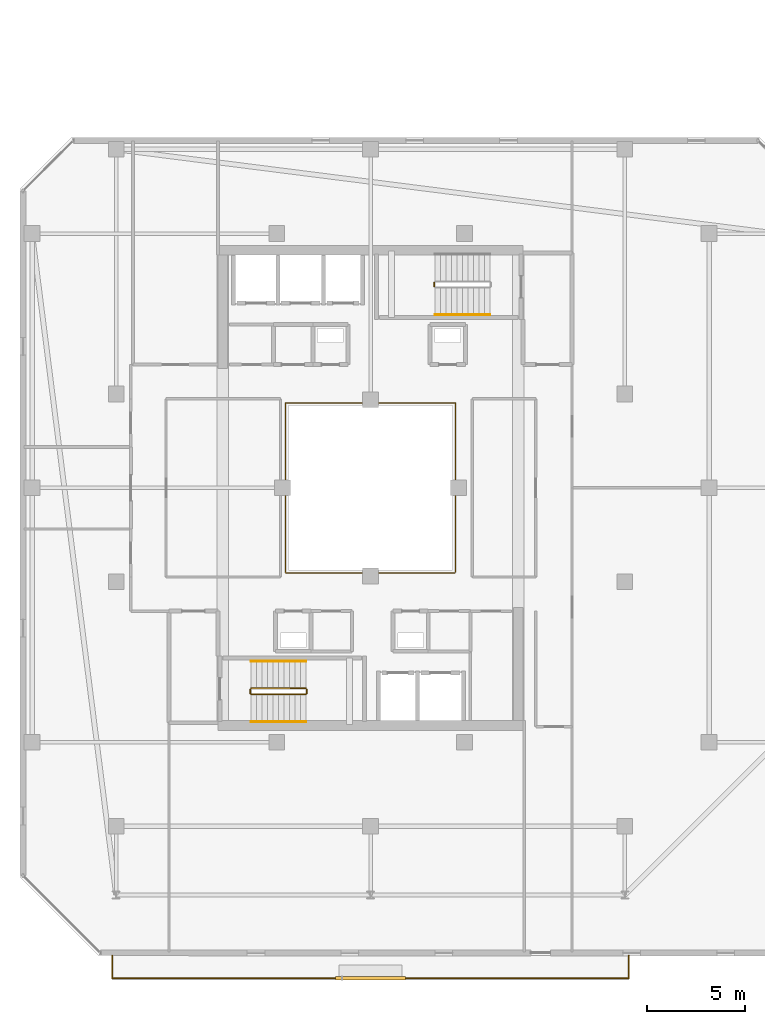
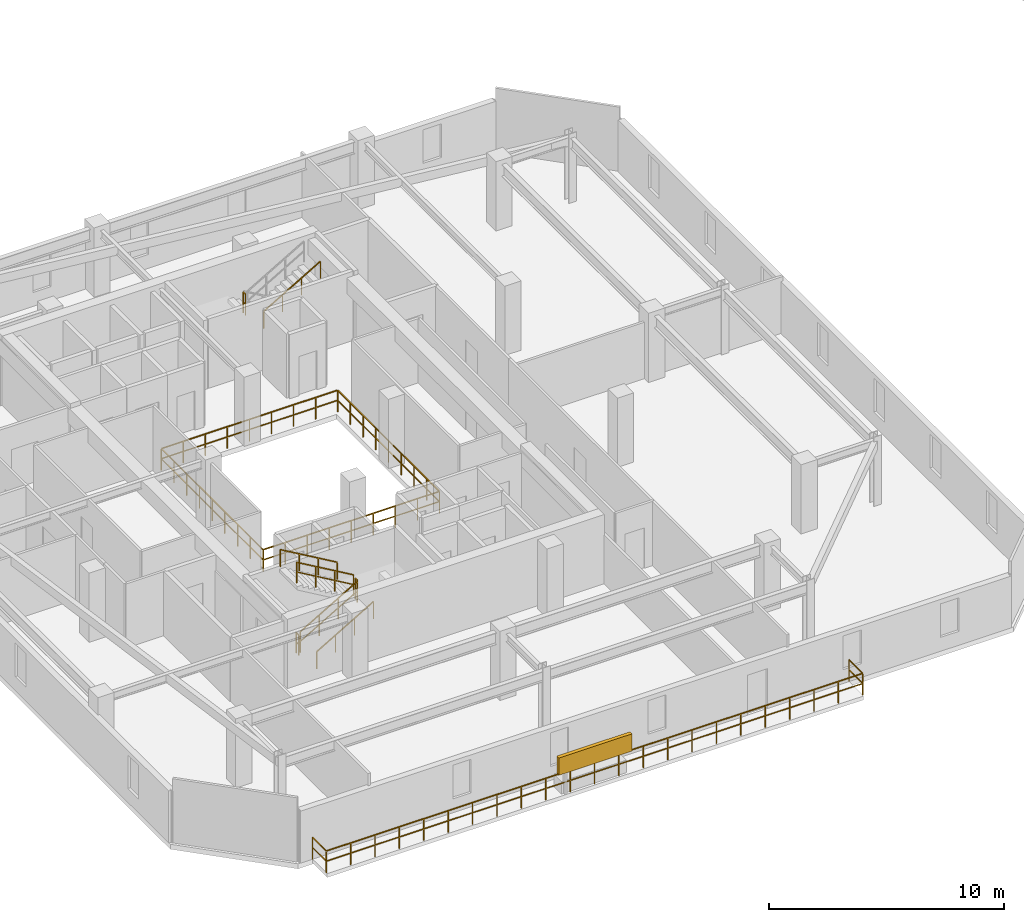
# One storey, part 31 of 34: 10 railings, 1 shading device.
"""IFC4 building model written with IfcOpenShell, lengths in metres."""

from ifc_helpers import new_model, si_unit, direction, frame, origin, origin_2d, place, context, subcontext, project, spatial, rectangle, extrude, material, type_object, element, save


model = new_model("IFC4")

# Units and contexts
model_context = context("Model", 3, precision=1e-05, world=origin(), true_north=direction((0.0, 1.0)))
body_context = subcontext(model_context, "Body", "Model", "MODEL_VIEW")
ifc_project = project(units=[si_unit("LENGTHUNIT", "METRE"), si_unit("AREAUNIT", "SQUARE_METRE"), si_unit("VOLUMEUNIT", "CUBIC_METRE"), si_unit("PLANEANGLEUNIT", "RADIAN"), si_unit("MASSUNIT", "GRAM", prefix="KILO")], contexts=[model_context])

# Site, building, storey
site_placement = place(None, origin())
site = spatial("IfcSite", under=ifc_project, at=site_placement, CompositionType="ELEMENT")
building_placement = place(site_placement, origin())
building = spatial("IfcBuilding", under=site, at=building_placement, Name="Thornwick Lancets Civic Towers", CompositionType="ELEMENT")
storey_placement = place(building_placement, frame((0.0, 0.0, 258.300048828125)))
storey = spatial("IfcBuildingStorey", under=building, at=storey_placement, Name="L69", CompositionType="ELEMENT", Elevation=258.300048828125)

# Railings
ifc_material_1 = material(Name="Laminated glass and bronze steel S355", Category="steel")
railing_type_1 = type_object("IfcRailingType", Name="RAIL_ATRIUM_GUARD", PredefinedType="BALUSTRADE", material=ifc_material_1)
railing_1_placement = place(storey_placement, frame((21.159912109375, 22.659912109375, 0.0)))
element("IfcRailing", 1, at=railing_1_placement, inside=storey, type_object=railing_type_1, Name="L69 Tower A Central Atrium Guard Balustrade", PredefinedType="BALUSTRADE", context=body_context, shape_type="SweptSolid", body=[
    extrude(rectangle(XDim=0.048095703125, YDim=0.048095703125, at=origin_2d()), frame((0.0, 0.0, 1.1259765625), z_axis=(1.0, 0.0, 0.0), x_axis=(0.0, 1.0, 0.0)), (0.0, 0.0, 1.0), 8.64892578125),
    extrude(rectangle(XDim=0.0419921875, YDim=0.0419921875, at=origin_2d()), frame((0.03759765625, 0.0, 0.597900390625), z_axis=(1.0, 0.0, 0.0), x_axis=(0.0, 1.0, 0.0)), (0.0, 0.0, 1.0), 1.010009765625),
    extrude(rectangle(XDim=0.0419921875, YDim=0.0419921875, at=origin_2d()), frame((1.12255859375, 0.0, 0.597900390625), z_axis=(1.0, 0.0, 0.0), x_axis=(0.0, 1.0, 0.0)), (0.0, 0.0, 1.0), 1.010009765625),
    extrude(rectangle(XDim=0.0419921875, YDim=0.0419921875, at=origin_2d()), frame((2.20751953125, 0.0, 0.597900390625), z_axis=(1.0, 0.0, 0.0), x_axis=(0.0, 1.0, 0.0)), (0.0, 0.0, 1.0), 1.010009765625),
    extrude(rectangle(XDim=0.0419921875, YDim=0.0419921875, at=origin_2d()), frame((3.29248046875, 0.0, 0.597900390625), z_axis=(1.0, 0.0, 0.0), x_axis=(0.0, 1.0, 0.0)), (0.0, 0.0, 1.0), 1.010009765625),
    extrude(rectangle(XDim=0.0419921875, YDim=0.0419921875, at=origin_2d()), frame((4.377685546875, 0.0, 0.597900390625), z_axis=(1.0, 0.0, 0.0), x_axis=(0.0, 1.0, 0.0)), (0.0, 0.0, 1.0), 1.010009765625),
    extrude(rectangle(XDim=0.0419921875, YDim=0.0419921875, at=origin_2d()), frame((5.462646484375, 0.0, 0.597900390625), z_axis=(1.0, 0.0, 0.0), x_axis=(0.0, 1.0, 0.0)), (0.0, 0.0, 1.0), 1.010009765625),
    extrude(rectangle(XDim=0.0419921875, YDim=0.0419921875, at=origin_2d()), frame((6.547607421875, 0.0, 0.597900390625), z_axis=(1.0, 0.0, 0.0), x_axis=(0.0, 1.0, 0.0)), (0.0, 0.0, 1.0), 1.010009765625),
    extrude(rectangle(XDim=0.0419921875, YDim=0.0419921875, at=origin_2d()), frame((7.632568359375, 0.0, 0.597900390625), z_axis=(1.0, 0.0, 0.0), x_axis=(0.0, 1.0, 0.0)), (0.0, 0.0, 1.0), 1.010009765625),
    extrude(rectangle(XDim=0.048095703125, YDim=0.048095703125, at=origin_2d()), frame((8.68017578125, 0.03125, 1.1259765625), z_axis=(0.0, 1.0, 0.0), x_axis=(-1.0, 0.0, 0.0)), (0.0, 0.0, 1.0), 8.61767578125),
    extrude(rectangle(XDim=0.0419921875, YDim=0.0419921875, at=origin_2d()), frame((8.68017578125, 0.03759765625, 0.597900390625), z_axis=(0.0, 1.0, 0.0), x_axis=(-1.0, 0.0, 0.0)), (0.0, 0.0, 1.0), 1.010009765625),
    extrude(rectangle(XDim=0.0419921875, YDim=0.0419921875, at=origin_2d()), frame((8.68017578125, 1.12255859375, 0.597900390625), z_axis=(0.0, 1.0, 0.0), x_axis=(-1.0, 0.0, 0.0)), (0.0, 0.0, 1.0), 1.010009765625),
    extrude(rectangle(XDim=0.0419921875, YDim=0.0419921875, at=origin_2d()), frame((8.68017578125, 2.20751953125, 0.597900390625), z_axis=(0.0, 1.0, 0.0), x_axis=(-1.0, 0.0, 0.0)), (0.0, 0.0, 1.0), 1.010009765625),
    extrude(rectangle(XDim=0.0419921875, YDim=0.0419921875, at=origin_2d()), frame((8.68017578125, 3.29248046875, 0.597900390625), z_axis=(0.0, 1.0, 0.0), x_axis=(-1.0, 0.0, 0.0)), (0.0, 0.0, 1.0), 1.010009765625),
    extrude(rectangle(XDim=0.0419921875, YDim=0.0419921875, at=origin_2d()), frame((8.68017578125, 4.377685546875, 0.597900390625), z_axis=(0.0, 1.0, 0.0), x_axis=(-1.0, 0.0, 0.0)), (0.0, 0.0, 1.0), 1.010009765625),
    extrude(rectangle(XDim=0.0419921875, YDim=0.0419921875, at=origin_2d()), frame((8.68017578125, 5.462646484375, 0.597900390625), z_axis=(0.0, 1.0, 0.0), x_axis=(-1.0, 0.0, 0.0)), (0.0, 0.0, 1.0), 1.010009765625),
    extrude(rectangle(XDim=0.0419921875, YDim=0.0419921875, at=origin_2d()), frame((8.68017578125, 6.547607421875, 0.597900390625), z_axis=(0.0, 1.0, 0.0), x_axis=(-1.0, 0.0, 0.0)), (0.0, 0.0, 1.0), 1.010009765625),
    extrude(rectangle(XDim=0.0419921875, YDim=0.0419921875, at=origin_2d()), frame((8.68017578125, 7.632568359375, 0.597900390625), z_axis=(0.0, 1.0, 0.0), x_axis=(-1.0, 0.0, 0.0)), (0.0, 0.0, 1.0), 1.010009765625),
    extrude(rectangle(XDim=0.048095703125, YDim=0.048095703125, at=origin_2d()), frame((8.64892578125, 8.68017578125, 1.1259765625), z_axis=(-1.0, 0.0, 0.0), x_axis=(0.0, -1.0, 0.0)), (0.0, 0.0, 1.0), 8.61767578125),
    extrude(rectangle(XDim=0.0419921875, YDim=0.0419921875, at=origin_2d()), frame((8.642578125, 8.68017578125, 0.597900390625), z_axis=(-1.0, 0.0, 0.0), x_axis=(0.0, -1.0, 0.0)), (0.0, 0.0, 1.0), 1.010009765625),
    extrude(rectangle(XDim=0.0419921875, YDim=0.0419921875, at=origin_2d()), frame((7.5576171875, 8.68017578125, 0.597900390625), z_axis=(-1.0, 0.0, 0.0), x_axis=(0.0, -1.0, 0.0)), (0.0, 0.0, 1.0), 1.010009765625),
    extrude(rectangle(XDim=0.0419921875, YDim=0.0419921875, at=origin_2d()), frame((6.47265625, 8.68017578125, 0.597900390625), z_axis=(-1.0, 0.0, 0.0), x_axis=(0.0, -1.0, 0.0)), (0.0, 0.0, 1.0), 1.010009765625),
    extrude(rectangle(XDim=0.0419921875, YDim=0.0419921875, at=origin_2d()), frame((5.3876953125, 8.68017578125, 0.597900390625), z_axis=(-1.0, 0.0, 0.0), x_axis=(0.0, -1.0, 0.0)), (0.0, 0.0, 1.0), 1.010009765625),
    extrude(rectangle(XDim=0.0419921875, YDim=0.0419921875, at=origin_2d()), frame((4.302490234375, 8.68017578125, 0.597900390625), z_axis=(-1.0, 0.0, 0.0), x_axis=(0.0, -1.0, 0.0)), (0.0, 0.0, 1.0), 1.010009765625),
    extrude(rectangle(XDim=0.0419921875, YDim=0.0419921875, at=origin_2d()), frame((3.217529296875, 8.68017578125, 0.597900390625), z_axis=(-1.0, 0.0, 0.0), x_axis=(0.0, -1.0, 0.0)), (0.0, 0.0, 1.0), 1.010009765625),
    extrude(rectangle(XDim=0.0419921875, YDim=0.0419921875, at=origin_2d()), frame((2.132568359375, 8.68017578125, 0.597900390625), z_axis=(-1.0, 0.0, 0.0), x_axis=(0.0, -1.0, 0.0)), (0.0, 0.0, 1.0), 1.010009765625),
    extrude(rectangle(XDim=0.0419921875, YDim=0.0419921875, at=origin_2d()), frame((1.047607421875, 8.68017578125, 0.597900390625), z_axis=(-1.0, 0.0, 0.0), x_axis=(0.0, -1.0, 0.0)), (0.0, 0.0, 1.0), 1.010009765625),
    extrude(rectangle(XDim=0.048095703125, YDim=0.048095703125, at=origin_2d()), frame((0.0, 8.64892578125, 1.1259765625), z_axis=(0.0, -1.0, 0.0), x_axis=(1.0, 0.0, 0.0)), (0.0, 0.0, 1.0), 8.64892578125),
    extrude(rectangle(XDim=0.0419921875, YDim=0.0419921875, at=origin_2d()), frame((0.0, 8.642578125, 0.597900390625), z_axis=(0.0, -1.0, 0.0), x_axis=(1.0, 0.0, 0.0)), (0.0, 0.0, 1.0), 1.010009765625),
    extrude(rectangle(XDim=0.0419921875, YDim=0.0419921875, at=origin_2d()), frame((0.0, 7.5576171875, 0.597900390625), z_axis=(0.0, -1.0, 0.0), x_axis=(1.0, 0.0, 0.0)), (0.0, 0.0, 1.0), 1.010009765625),
    extrude(rectangle(XDim=0.0419921875, YDim=0.0419921875, at=origin_2d()), frame((0.0, 6.47265625, 0.597900390625), z_axis=(0.0, -1.0, 0.0), x_axis=(1.0, 0.0, 0.0)), (0.0, 0.0, 1.0), 1.010009765625),
    extrude(rectangle(XDim=0.0419921875, YDim=0.0419921875, at=origin_2d()), frame((0.0, 5.3876953125, 0.597900390625), z_axis=(0.0, -1.0, 0.0), x_axis=(1.0, 0.0, 0.0)), (0.0, 0.0, 1.0), 1.010009765625),
    extrude(rectangle(XDim=0.0419921875, YDim=0.0419921875, at=origin_2d()), frame((0.0, 4.302490234375, 0.597900390625), z_axis=(0.0, -1.0, 0.0), x_axis=(1.0, 0.0, 0.0)), (0.0, 0.0, 1.0), 1.010009765625),
    extrude(rectangle(XDim=0.0419921875, YDim=0.0419921875, at=origin_2d()), frame((0.0, 3.217529296875, 0.597900390625), z_axis=(0.0, -1.0, 0.0), x_axis=(1.0, 0.0, 0.0)), (0.0, 0.0, 1.0), 1.010009765625),
    extrude(rectangle(XDim=0.0419921875, YDim=0.0419921875, at=origin_2d()), frame((0.0, 2.132568359375, 0.597900390625), z_axis=(0.0, -1.0, 0.0), x_axis=(1.0, 0.0, 0.0)), (0.0, 0.0, 1.0), 1.010009765625),
    extrude(rectangle(XDim=0.0419921875, YDim=0.0419921875, at=origin_2d()), frame((0.0, 1.047607421875, 0.597900390625), z_axis=(0.0, -1.0, 0.0), x_axis=(1.0, 0.0, 0.0)), (0.0, 0.0, 1.0), 1.010009765625),
    extrude(rectangle(XDim=0.0419921875, YDim=0.0419921875, at=origin_2d()), origin(), (0.0, 0.0, 1.0), 1.095703125),
    extrude(rectangle(XDim=0.0419921875, YDim=0.0419921875, at=origin_2d()), frame((1.0849609375, 0.0, 0.0)), (0.0, 0.0, 1.0), 1.095703125),
    extrude(rectangle(XDim=0.0419921875, YDim=0.0419921875, at=origin_2d()), frame((2.169921875, 0.0, 0.0)), (0.0, 0.0, 1.0), 1.095703125),
    extrude(rectangle(XDim=0.0419921875, YDim=0.0419921875, at=origin_2d()), frame((3.255126953125, 0.0, 0.0)), (0.0, 0.0, 1.0), 1.095703125),
    extrude(rectangle(XDim=0.0419921875, YDim=0.0419921875, at=origin_2d()), frame((4.340087890625, 0.0, 0.0)), (0.0, 0.0, 1.0), 1.095703125),
    extrude(rectangle(XDim=0.0419921875, YDim=0.0419921875, at=origin_2d()), frame((5.425048828125, 0.0, 0.0)), (0.0, 0.0, 1.0), 1.095703125),
    extrude(rectangle(XDim=0.0419921875, YDim=0.0419921875, at=origin_2d()), frame((6.51025390625, 0.0, 0.0)), (0.0, 0.0, 1.0), 1.095703125),
    extrude(rectangle(XDim=0.0419921875, YDim=0.0419921875, at=origin_2d()), frame((7.59521484375, 0.0, 0.0)), (0.0, 0.0, 1.0), 1.095703125),
    extrude(rectangle(XDim=0.0419921875, YDim=0.0419921875, at=origin_2d()), frame((8.68017578125, 0.0, 0.0)), (0.0, 0.0, 1.0), 1.095703125),
    extrude(rectangle(XDim=0.0419921875, YDim=0.0419921875, at=origin_2d()), frame((8.68017578125, 1.0849609375, 0.0)), (0.0, 0.0, 1.0), 1.095703125),
    extrude(rectangle(XDim=0.0419921875, YDim=0.0419921875, at=origin_2d()), frame((8.68017578125, 2.169921875, 0.0)), (0.0, 0.0, 1.0), 1.095703125),
    extrude(rectangle(XDim=0.0419921875, YDim=0.0419921875, at=origin_2d()), frame((8.68017578125, 3.255126953125, 0.0)), (0.0, 0.0, 1.0), 1.095703125),
    extrude(rectangle(XDim=0.0419921875, YDim=0.0419921875, at=origin_2d()), frame((8.68017578125, 4.340087890625, 0.0)), (0.0, 0.0, 1.0), 1.095703125),
    extrude(rectangle(XDim=0.0419921875, YDim=0.0419921875, at=origin_2d()), frame((8.68017578125, 5.425048828125, 0.0)), (0.0, 0.0, 1.0), 1.095703125),
    extrude(rectangle(XDim=0.0419921875, YDim=0.0419921875, at=origin_2d()), frame((8.68017578125, 6.51025390625, 0.0)), (0.0, 0.0, 1.0), 1.095703125),
    extrude(rectangle(XDim=0.0419921875, YDim=0.0419921875, at=origin_2d()), frame((8.68017578125, 7.59521484375, 0.0)), (0.0, 0.0, 1.0), 1.095703125),
    extrude(rectangle(XDim=0.0419921875, YDim=0.0419921875, at=origin_2d()), frame((8.68017578125, 8.68017578125, 0.0)), (0.0, 0.0, 1.0), 1.095703125),
    extrude(rectangle(XDim=0.0419921875, YDim=0.0419921875, at=origin_2d()), frame((7.59521484375, 8.68017578125, 0.0)), (0.0, 0.0, 1.0), 1.095703125),
    extrude(rectangle(XDim=0.0419921875, YDim=0.0419921875, at=origin_2d()), frame((6.51025390625, 8.68017578125, 0.0)), (0.0, 0.0, 1.0), 1.095703125),
    extrude(rectangle(XDim=0.0419921875, YDim=0.0419921875, at=origin_2d()), frame((5.425048828125, 8.68017578125, 0.0)), (0.0, 0.0, 1.0), 1.095703125),
    extrude(rectangle(XDim=0.0419921875, YDim=0.0419921875, at=origin_2d()), frame((4.340087890625, 8.68017578125, 0.0)), (0.0, 0.0, 1.0), 1.095703125),
    extrude(rectangle(XDim=0.0419921875, YDim=0.0419921875, at=origin_2d()), frame((3.255126953125, 8.68017578125, 0.0)), (0.0, 0.0, 1.0), 1.095703125),
    extrude(rectangle(XDim=0.0419921875, YDim=0.0419921875, at=origin_2d()), frame((2.169921875, 8.68017578125, 0.0)), (0.0, 0.0, 1.0), 1.095703125),
    extrude(rectangle(XDim=0.0419921875, YDim=0.0419921875, at=origin_2d()), frame((1.0849609375, 8.68017578125, 0.0)), (0.0, 0.0, 1.0), 1.095703125),
    extrude(rectangle(XDim=0.0419921875, YDim=0.0419921875, at=origin_2d()), frame((0.0, 8.68017578125, 0.0)), (0.0, 0.0, 1.0), 1.095703125),
    extrude(rectangle(XDim=0.0419921875, YDim=0.0419921875, at=origin_2d()), frame((0.0, 7.59521484375, 0.0)), (0.0, 0.0, 1.0), 1.095703125),
    extrude(rectangle(XDim=0.0419921875, YDim=0.0419921875, at=origin_2d()), frame((0.0, 6.51025390625, 0.0)), (0.0, 0.0, 1.0), 1.095703125),
    extrude(rectangle(XDim=0.0419921875, YDim=0.0419921875, at=origin_2d()), frame((0.0, 5.425048828125, 0.0)), (0.0, 0.0, 1.0), 1.095703125),
    extrude(rectangle(XDim=0.0419921875, YDim=0.0419921875, at=origin_2d()), frame((0.0, 4.340087890625, 0.0)), (0.0, 0.0, 1.0), 1.095703125),
    extrude(rectangle(XDim=0.0419921875, YDim=0.0419921875, at=origin_2d()), frame((0.0, 3.255126953125, 0.0)), (0.0, 0.0, 1.0), 1.095703125),
    extrude(rectangle(XDim=0.0419921875, YDim=0.0419921875, at=origin_2d()), frame((0.0, 2.169921875, 0.0)), (0.0, 0.0, 1.0), 1.095703125),
    extrude(rectangle(XDim=0.0419921875, YDim=0.0419921875, at=origin_2d()), frame((0.0, 1.0849609375, 0.0)), (0.0, 0.0, 1.0), 1.095703125),
])
ifc_material_2 = material(Name="Brushed stainless steel S355", Category="steel")
railing_type_2 = type_object("IfcRailingType", Name="RAIL_HANDRAIL", PredefinedType="HANDRAIL", material=ifc_material_2)
railing_2_placement = place(storey_placement, frame((19.39990234375, 15.050048828125, 0.16357421875)))
element("IfcRailing", 2, at=railing_2_placement, inside=storey, type_object=railing_type_2, Name="L69 ST-A1 stair handrail 1", PredefinedType="HANDRAIL", context=body_context, shape_type="SweptSolid", body=[
    extrude(rectangle(XDim=0.048095703125, YDim=0.048095703125, at=origin_2d()), frame((0.0, 0.0, 0.8857421875), z_axis=(0.863360870873, 0.0, 0.504586966384), x_axis=(0.0, 1.0, 0.0)), (0.0, 0.0, 1.0), 3.2431640625),
    extrude(rectangle(XDim=0.0419921875, YDim=0.0419921875, at=origin_2d()), origin(), (0.0, 0.0, 1.0), 0.855712890625),
    extrude(rectangle(XDim=0.0419921875, YDim=0.0419921875, at=origin_2d()), frame((0.933349609375, 0.0, 0.54541015625)), (0.0, 0.0, 1.0), 0.855712890625),
    extrude(rectangle(XDim=0.0419921875, YDim=0.0419921875, at=origin_2d()), frame((1.86669921875, 0.0, 1.091064453125)), (0.0, 0.0, 1.0), 0.855712890625),
    extrude(rectangle(XDim=0.0419921875, YDim=0.0419921875, at=origin_2d()), frame((2.800048828125, 0.0, 1.636474609375)), (0.0, 0.0, 1.0), 0.855712890625),
])
railing_3_placement = place(storey_placement, frame((22.199951171875, 18.14990234375, 1.963623046875)))
element("IfcRailing", 3, at=railing_3_placement, inside=storey, type_object=railing_type_2, Name="L69 ST-A1 stair handrail 2", PredefinedType="HANDRAIL", context=body_context, shape_type="SweptSolid", body=[
    extrude(rectangle(XDim=0.048095703125, YDim=0.048095703125, at=origin_2d()), frame((0.0, 0.0, 0.8857421875), z_axis=(-0.863393664356, 0.0, 0.504530851732), x_axis=(0.0, -1.0, 0.0)), (0.0, 0.0, 1.0), 3.2431640625),
    extrude(rectangle(XDim=0.0419921875, YDim=0.0419921875, at=origin_2d()), origin(), (0.0, 0.0, 1.0), 0.855712890625),
    extrude(rectangle(XDim=0.0419921875, YDim=0.0419921875, at=origin_2d()), frame((-0.933349609375, 0.0, 0.54541015625)), (0.0, 0.0, 1.0), 0.855712890625),
    extrude(rectangle(XDim=0.0419921875, YDim=0.0419921875, at=origin_2d()), frame((-1.86669921875, 0.0, 1.0908203125)), (0.0, 0.0, 1.0), 0.855712890625),
    extrude(rectangle(XDim=0.0419921875, YDim=0.0419921875, at=origin_2d()), frame((-2.800048828125, 0.0, 1.63623046875)), (0.0, 0.0, 1.0), 0.855712890625),
])
railing_4_placement = place(storey_placement, frame((28.800048828125, 35.85009765625, 1.963623046875)))
element("IfcRailing", 4, at=railing_4_placement, inside=storey, type_object=railing_type_2, Name="L69 ST-A2 stair handrail 2", PredefinedType="HANDRAIL", context=body_context, shape_type="SweptSolid", body=[
    extrude(rectangle(XDim=0.048095703125, YDim=0.048095703125, at=origin_2d()), frame((0.0, 0.0, 0.8857421875), z_axis=(0.863393664356, 0.0, 0.504530851732), x_axis=(0.0, 1.0, 0.0)), (0.0, 0.0, 1.0), 3.2431640625),
    extrude(rectangle(XDim=0.0419921875, YDim=0.0419921875, at=origin_2d()), origin(), (0.0, 0.0, 1.0), 0.855712890625),
    extrude(rectangle(XDim=0.0419921875, YDim=0.0419921875, at=origin_2d()), frame((0.933349609375, 0.0, 0.54541015625)), (0.0, 0.0, 1.0), 0.855712890625),
    extrude(rectangle(XDim=0.0419921875, YDim=0.0419921875, at=origin_2d()), frame((1.86669921875, 0.0, 1.0908203125)), (0.0, 0.0, 1.0), 0.855712890625),
    extrude(rectangle(XDim=0.0419921875, YDim=0.0419921875, at=origin_2d()), frame((2.800048828125, 0.0, 1.63623046875)), (0.0, 0.0, 1.0), 0.855712890625),
])
ifc_material_3 = material(Name="Steel S355JR", Category="steel")
railing_type_3 = type_object("IfcRailingType", Name="RAIL_STAIR_GUARD", PredefinedType="GUARDRAIL", material=ifc_material_3)
railing_5_placement = place(storey_placement, frame((19.39990234375, 16.449951171875, 0.16357421875)))
element("IfcRailing", 5, at=railing_5_placement, inside=storey, type_object=railing_type_3, Name="L69 ST-A1 stair guard 1", PredefinedType="GUARDRAIL", context=body_context, shape_type="SweptSolid", body=[
    extrude(rectangle(XDim=0.048095703125, YDim=0.048095703125, at=origin_2d()), frame((0.0, 0.0, 1.076171875), z_axis=(0.863360870873, 0.0, 0.504586966384), x_axis=(0.0, 1.0, 0.0)), (0.0, 0.0, 1.0), 3.2431640625),
    extrude(rectangle(XDim=0.0419921875, YDim=0.0419921875, at=origin_2d()), frame((0.032470703125, 0.0, 0.591064453125), z_axis=(0.863360870873, 0.0, 0.504586966384), x_axis=(0.0, 1.0, 0.0)), (0.0, 0.0, 1.0), 1.006103515625),
    extrude(rectangle(XDim=0.0419921875, YDim=0.0419921875, at=origin_2d()), frame((0.9658203125, 0.0, 1.136474609375), z_axis=(0.863360870873, 0.0, 0.504586966384), x_axis=(0.0, 1.0, 0.0)), (0.0, 0.0, 1.0), 1.006103515625),
    extrude(rectangle(XDim=0.0419921875, YDim=0.0419921875, at=origin_2d()), frame((1.899169921875, 0.0, 1.681884765625), z_axis=(0.863360870873, 0.0, 0.504586966384), x_axis=(0.0, 1.0, 0.0)), (0.0, 0.0, 1.0), 1.006103515625),
    extrude(rectangle(XDim=0.0419921875, YDim=0.0419921875, at=origin_2d()), origin(), (0.0, 0.0, 1.0), 1.0458984375),
    extrude(rectangle(XDim=0.0419921875, YDim=0.0419921875, at=origin_2d()), frame((0.933349609375, 0.0, 0.54541015625)), (0.0, 0.0, 1.0), 1.0458984375),
    extrude(rectangle(XDim=0.0419921875, YDim=0.0419921875, at=origin_2d()), frame((1.86669921875, 0.0, 1.091064453125)), (0.0, 0.0, 1.0), 1.0458984375),
    extrude(rectangle(XDim=0.0419921875, YDim=0.0419921875, at=origin_2d()), frame((2.800048828125, 0.0, 1.636474609375)), (0.0, 0.0, 1.0), 1.0458984375),
])
railing_6_placement = place(storey_placement, frame((22.25, 16.5, 1.800048828125)))
element("IfcRailing", 6, at=railing_6_placement, inside=storey, type_object=railing_type_3, Name="L69 ST-A1 stair guard 2", PredefinedType="GUARDRAIL", context=body_context, shape_type="SweptSolid", body=[
    extrude(rectangle(XDim=0.048095703125, YDim=0.048095703125, at=origin_2d()), frame((0.0, 0.0, 1.076171875), z_axis=(0.0, 1.0, 0.0), x_axis=(-1.0, 0.0, 0.0)), (0.0, 0.0, 1.0), 0.199951171875),
    extrude(rectangle(XDim=0.0419921875, YDim=0.0419921875, at=origin_2d()), frame((0.0, 0.03759765625, 0.572021484375), z_axis=(0.0, 1.0, 0.0), x_axis=(-1.0, 0.0, 0.0)), (0.0, 0.0, 1.0), 0.125),
    extrude(rectangle(XDim=0.0419921875, YDim=0.0419921875, at=origin_2d()), origin(), (0.0, 0.0, 1.0), 1.0458984375),
    extrude(rectangle(XDim=0.0419921875, YDim=0.0419921875, at=origin_2d()), frame((0.0, 0.199951171875, 0.0)), (0.0, 0.0, 1.0), 1.0458984375),
])
railing_7_placement = place(storey_placement, frame((22.199951171875, 16.75, 1.963623046875)))
element("IfcRailing", 7, at=railing_7_placement, inside=storey, type_object=railing_type_3, Name="L69 ST-A1 stair guard 3", PredefinedType="GUARDRAIL", context=body_context, shape_type="SweptSolid", body=[
    extrude(rectangle(XDim=0.048095703125, YDim=0.048095703125, at=origin_2d()), frame((0.0, 0.0, 1.076171875), z_axis=(-0.863393664356, 0.0, 0.504530851732), x_axis=(0.0, -1.0, 0.0)), (0.0, 0.0, 1.0), 3.2431640625),
    extrude(rectangle(XDim=0.0419921875, YDim=0.0419921875, at=origin_2d()), frame((-0.032470703125, 0.0, 0.591064453125), z_axis=(-0.863393664356, 0.0, 0.504530851732), x_axis=(0.0, -1.0, 0.0)), (0.0, 0.0, 1.0), 1.006103515625),
    extrude(rectangle(XDim=0.0419921875, YDim=0.0419921875, at=origin_2d()), frame((-0.9658203125, 0.0, 1.136474609375), z_axis=(-0.863393664356, 0.0, 0.504530851732), x_axis=(0.0, -1.0, 0.0)), (0.0, 0.0, 1.0), 1.006103515625),
    extrude(rectangle(XDim=0.0419921875, YDim=0.0419921875, at=origin_2d()), frame((-1.899169921875, 0.0, 1.681884765625), z_axis=(-0.863393664356, 0.0, 0.504530851732), x_axis=(0.0, -1.0, 0.0)), (0.0, 0.0, 1.0), 1.006103515625),
    extrude(rectangle(XDim=0.0419921875, YDim=0.0419921875, at=origin_2d()), origin(), (0.0, 0.0, 1.0), 1.0458984375),
    extrude(rectangle(XDim=0.0419921875, YDim=0.0419921875, at=origin_2d()), frame((-0.933349609375, 0.0, 0.54541015625)), (0.0, 0.0, 1.0), 1.0458984375),
    extrude(rectangle(XDim=0.0419921875, YDim=0.0419921875, at=origin_2d()), frame((-1.86669921875, 0.0, 1.0908203125)), (0.0, 0.0, 1.0), 1.0458984375),
    extrude(rectangle(XDim=0.0419921875, YDim=0.0419921875, at=origin_2d()), frame((-2.800048828125, 0.0, 1.63623046875)), (0.0, 0.0, 1.0), 1.0458984375),
])
railing_8_placement = place(storey_placement, frame((19.35009765625, 16.5, 0.0)))
element("IfcRailing", 8, at=railing_8_placement, inside=storey, type_object=railing_type_3, Name="L69 ST-A1 stair guard 4", PredefinedType="GUARDRAIL", context=body_context, shape_type="SweptSolid", body=[
    extrude(rectangle(XDim=0.048095703125, YDim=0.048095703125, at=origin_2d()), frame((0.0, 0.0, 1.076171875), z_axis=(0.0, 1.0, 0.0), x_axis=(-1.0, 0.0, 0.0)), (0.0, 0.0, 1.0), 0.199951171875),
    extrude(rectangle(XDim=0.0419921875, YDim=0.0419921875, at=origin_2d()), frame((0.0, 0.03759765625, 0.572021484375), z_axis=(0.0, 1.0, 0.0), x_axis=(-1.0, 0.0, 0.0)), (0.0, 0.0, 1.0), 0.125),
    extrude(rectangle(XDim=0.0419921875, YDim=0.0419921875, at=origin_2d()), origin(), (0.0, 0.0, 1.0), 1.0458984375),
    extrude(rectangle(XDim=0.0419921875, YDim=0.0419921875, at=origin_2d()), frame((0.0, 0.199951171875, 0.0)), (0.0, 0.0, 1.0), 1.0458984375),
])
railing_9_placement = place(storey_placement, frame((28.75, 37.5, 1.800048828125)))
element("IfcRailing", 9, at=railing_9_placement, inside=storey, type_object=railing_type_3, Name="L69 ST-A2 stair guard 2", PredefinedType="GUARDRAIL", context=body_context, shape_type="SweptSolid", body=[
    extrude(rectangle(XDim=0.048095703125, YDim=0.048095703125, at=origin_2d()), frame((0.0, 0.0, 1.076171875), z_axis=(0.0, -1.0, 0.0), x_axis=(1.0, 0.0, 0.0)), (0.0, 0.0, 1.0), 0.199951171875),
    extrude(rectangle(XDim=0.0419921875, YDim=0.0419921875, at=origin_2d()), frame((0.0, -0.03759765625, 0.572021484375), z_axis=(0.0, -1.0, 0.0), x_axis=(1.0, 0.0, 0.0)), (0.0, 0.0, 1.0), 0.125),
    extrude(rectangle(XDim=0.0419921875, YDim=0.0419921875, at=origin_2d()), origin(), (0.0, 0.0, 1.0), 1.0458984375),
    extrude(rectangle(XDim=0.0419921875, YDim=0.0419921875, at=origin_2d()), frame((0.0, -0.199951171875, 0.0)), (0.0, 0.0, 1.0), 1.0458984375),
])
ifc_material_4 = material(Name="Terracotta-capped laminated glass balustrade S355", Category="masonry")
railing_type_4 = type_object("IfcRailingType", Name="RAIL_TERR_GUARD", PredefinedType="GUARDRAIL", material=ifc_material_4)
railing_10_placement = place(storey_placement, frame((12.300048828125, 3.10009765625, 0.0)))
element("IfcRailing", 10, at=railing_10_placement, inside=storey, type_object=railing_type_4, Name="L69 Tower A Balcony Guard S", PredefinedType="GUARDRAIL", context=body_context, shape_type="SweptSolid", body=[
    extrude(rectangle(XDim=0.048095703125, YDim=0.048095703125, at=origin_2d()), frame((0.0, 0.0, 1.1259765625), z_axis=(0.0, -1.0, 0.0), x_axis=(1.0, 0.0, 0.0)), (0.0, 0.0, 1.0), 1.138916015625),
    extrude(rectangle(XDim=0.0419921875, YDim=0.0419921875, at=origin_2d()), frame((0.0, -0.03759765625, 0.597900390625), z_axis=(0.0, -1.0, 0.0), x_axis=(1.0, 0.0, 0.0)), (0.0, 0.0, 1.0), 1.09521484375),
    extrude(rectangle(XDim=0.048095703125, YDim=0.048095703125, at=origin_2d()), frame((0.03125, -1.170166015625, 1.1259765625), z_axis=(1.0, 0.0, 0.0), x_axis=(0.0, 1.0, 0.0)), (0.0, 0.0, 1.0), 26.33740234375),
    extrude(rectangle(XDim=0.0419921875, YDim=0.0419921875, at=origin_2d()), frame((0.03759765625, -1.170166015625, 0.597900390625), z_axis=(1.0, 0.0, 0.0), x_axis=(0.0, 1.0, 0.0)), (0.0, 0.0, 1.0), 1.125),
    extrude(rectangle(XDim=0.0419921875, YDim=0.0419921875, at=origin_2d()), frame((1.237548828125, -1.170166015625, 0.597900390625), z_axis=(1.0, 0.0, 0.0), x_axis=(0.0, 1.0, 0.0)), (0.0, 0.0, 1.0), 1.125),
    extrude(rectangle(XDim=0.0419921875, YDim=0.0419921875, at=origin_2d()), frame((2.4375, -1.170166015625, 0.597900390625), z_axis=(1.0, 0.0, 0.0), x_axis=(0.0, 1.0, 0.0)), (0.0, 0.0, 1.0), 1.125),
    extrude(rectangle(XDim=0.0419921875, YDim=0.0419921875, at=origin_2d()), frame((3.637451171875, -1.170166015625, 0.597900390625), z_axis=(1.0, 0.0, 0.0), x_axis=(0.0, 1.0, 0.0)), (0.0, 0.0, 1.0), 1.125),
    extrude(rectangle(XDim=0.0419921875, YDim=0.0419921875, at=origin_2d()), frame((4.83740234375, -1.170166015625, 0.597900390625), z_axis=(1.0, 0.0, 0.0), x_axis=(0.0, 1.0, 0.0)), (0.0, 0.0, 1.0), 1.125),
    extrude(rectangle(XDim=0.0419921875, YDim=0.0419921875, at=origin_2d()), frame((6.037353515625, -1.170166015625, 0.597900390625), z_axis=(1.0, 0.0, 0.0), x_axis=(0.0, 1.0, 0.0)), (0.0, 0.0, 1.0), 1.125),
    extrude(rectangle(XDim=0.0419921875, YDim=0.0419921875, at=origin_2d()), frame((7.237548828125, -1.170166015625, 0.597900390625), z_axis=(1.0, 0.0, 0.0), x_axis=(0.0, 1.0, 0.0)), (0.0, 0.0, 1.0), 1.125),
    extrude(rectangle(XDim=0.0419921875, YDim=0.0419921875, at=origin_2d()), frame((8.4375, -1.170166015625, 0.597900390625), z_axis=(1.0, 0.0, 0.0), x_axis=(0.0, 1.0, 0.0)), (0.0, 0.0, 1.0), 1.125),
    extrude(rectangle(XDim=0.0419921875, YDim=0.0419921875, at=origin_2d()), frame((9.637451171875, -1.170166015625, 0.597900390625), z_axis=(1.0, 0.0, 0.0), x_axis=(0.0, 1.0, 0.0)), (0.0, 0.0, 1.0), 1.125),
    extrude(rectangle(XDim=0.0419921875, YDim=0.0419921875, at=origin_2d()), frame((10.83740234375, -1.170166015625, 0.597900390625), z_axis=(1.0, 0.0, 0.0), x_axis=(0.0, 1.0, 0.0)), (0.0, 0.0, 1.0), 1.125),
    extrude(rectangle(XDim=0.0419921875, YDim=0.0419921875, at=origin_2d()), frame((12.037353515625, -1.170166015625, 0.597900390625), z_axis=(1.0, 0.0, 0.0), x_axis=(0.0, 1.0, 0.0)), (0.0, 0.0, 1.0), 1.125),
    extrude(rectangle(XDim=0.0419921875, YDim=0.0419921875, at=origin_2d()), frame((13.237548828125, -1.170166015625, 0.597900390625), z_axis=(1.0, 0.0, 0.0), x_axis=(0.0, 1.0, 0.0)), (0.0, 0.0, 1.0), 1.125),
    extrude(rectangle(XDim=0.0419921875, YDim=0.0419921875, at=origin_2d()), frame((14.4375, -1.170166015625, 0.597900390625), z_axis=(1.0, 0.0, 0.0), x_axis=(0.0, 1.0, 0.0)), (0.0, 0.0, 1.0), 1.125),
    extrude(rectangle(XDim=0.0419921875, YDim=0.0419921875, at=origin_2d()), frame((15.637451171875, -1.170166015625, 0.597900390625), z_axis=(1.0, 0.0, 0.0), x_axis=(0.0, 1.0, 0.0)), (0.0, 0.0, 1.0), 1.125),
    extrude(rectangle(XDim=0.0419921875, YDim=0.0419921875, at=origin_2d()), frame((16.83740234375, -1.170166015625, 0.597900390625), z_axis=(1.0, 0.0, 0.0), x_axis=(0.0, 1.0, 0.0)), (0.0, 0.0, 1.0), 1.125),
    extrude(rectangle(XDim=0.0419921875, YDim=0.0419921875, at=origin_2d()), frame((18.037353515625, -1.170166015625, 0.597900390625), z_axis=(1.0, 0.0, 0.0), x_axis=(0.0, 1.0, 0.0)), (0.0, 0.0, 1.0), 1.125),
    extrude(rectangle(XDim=0.0419921875, YDim=0.0419921875, at=origin_2d()), frame((19.2373046875, -1.170166015625, 0.597900390625), z_axis=(1.0, 0.0, 0.0), x_axis=(0.0, 1.0, 0.0)), (0.0, 0.0, 1.0), 1.125),
    extrude(rectangle(XDim=0.0419921875, YDim=0.0419921875, at=origin_2d()), frame((20.4375, -1.170166015625, 0.597900390625), z_axis=(1.0, 0.0, 0.0), x_axis=(0.0, 1.0, 0.0)), (0.0, 0.0, 1.0), 1.125),
    extrude(rectangle(XDim=0.0419921875, YDim=0.0419921875, at=origin_2d()), frame((21.637451171875, -1.170166015625, 0.597900390625), z_axis=(1.0, 0.0, 0.0), x_axis=(0.0, 1.0, 0.0)), (0.0, 0.0, 1.0), 1.125),
    extrude(rectangle(XDim=0.0419921875, YDim=0.0419921875, at=origin_2d()), frame((22.83740234375, -1.170166015625, 0.597900390625), z_axis=(1.0, 0.0, 0.0), x_axis=(0.0, 1.0, 0.0)), (0.0, 0.0, 1.0), 1.125),
    extrude(rectangle(XDim=0.0419921875, YDim=0.0419921875, at=origin_2d()), frame((24.037353515625, -1.170166015625, 0.597900390625), z_axis=(1.0, 0.0, 0.0), x_axis=(0.0, 1.0, 0.0)), (0.0, 0.0, 1.0), 1.125),
    extrude(rectangle(XDim=0.0419921875, YDim=0.0419921875, at=origin_2d()), frame((25.2373046875, -1.170166015625, 0.597900390625), z_axis=(1.0, 0.0, 0.0), x_axis=(0.0, 1.0, 0.0)), (0.0, 0.0, 1.0), 1.125),
    extrude(rectangle(XDim=0.048095703125, YDim=0.048095703125, at=origin_2d()), frame((26.39990234375, -1.138916015625, 1.1259765625), z_axis=(0.0, 1.0, 0.0), x_axis=(-1.0, 0.0, 0.0)), (0.0, 0.0, 1.0), 1.138916015625),
    extrude(rectangle(XDim=0.0419921875, YDim=0.0419921875, at=origin_2d()), frame((26.39990234375, -1.132568359375, 0.597900390625), z_axis=(0.0, 1.0, 0.0), x_axis=(-1.0, 0.0, 0.0)), (0.0, 0.0, 1.0), 1.09521484375),
    extrude(rectangle(XDim=0.0419921875, YDim=0.0419921875, at=origin_2d()), origin(), (0.0, 0.0, 1.0), 1.095703125),
    extrude(rectangle(XDim=0.0419921875, YDim=0.0419921875, at=origin_2d()), frame((0.0, -1.170166015625, 0.0)), (0.0, 0.0, 1.0), 1.095703125),
    extrude(rectangle(XDim=0.0419921875, YDim=0.0419921875, at=origin_2d()), frame((1.199951171875, -1.170166015625, 0.0)), (0.0, 0.0, 1.0), 1.095703125),
    extrude(rectangle(XDim=0.0419921875, YDim=0.0419921875, at=origin_2d()), frame((2.39990234375, -1.170166015625, 0.0)), (0.0, 0.0, 1.0), 1.095703125),
    extrude(rectangle(XDim=0.0419921875, YDim=0.0419921875, at=origin_2d()), frame((3.60009765625, -1.170166015625, 0.0)), (0.0, 0.0, 1.0), 1.095703125),
    extrude(rectangle(XDim=0.0419921875, YDim=0.0419921875, at=origin_2d()), frame((4.800048828125, -1.170166015625, 0.0)), (0.0, 0.0, 1.0), 1.095703125),
    extrude(rectangle(XDim=0.0419921875, YDim=0.0419921875, at=origin_2d()), frame((6.0, -1.170166015625, 0.0)), (0.0, 0.0, 1.0), 1.095703125),
    extrude(rectangle(XDim=0.0419921875, YDim=0.0419921875, at=origin_2d()), frame((7.199951171875, -1.170166015625, 0.0)), (0.0, 0.0, 1.0), 1.095703125),
    extrude(rectangle(XDim=0.0419921875, YDim=0.0419921875, at=origin_2d()), frame((8.39990234375, -1.170166015625, 0.0)), (0.0, 0.0, 1.0), 1.095703125),
    extrude(rectangle(XDim=0.0419921875, YDim=0.0419921875, at=origin_2d()), frame((9.599853515625, -1.170166015625, 0.0)), (0.0, 0.0, 1.0), 1.095703125),
    extrude(rectangle(XDim=0.0419921875, YDim=0.0419921875, at=origin_2d()), frame((10.800048828125, -1.170166015625, 0.0)), (0.0, 0.0, 1.0), 1.095703125),
    extrude(rectangle(XDim=0.0419921875, YDim=0.0419921875, at=origin_2d()), frame((12.0, -1.170166015625, 0.0)), (0.0, 0.0, 1.0), 1.095703125),
    extrude(rectangle(XDim=0.0419921875, YDim=0.0419921875, at=origin_2d()), frame((13.199951171875, -1.170166015625, 0.0)), (0.0, 0.0, 1.0), 1.095703125),
    extrude(rectangle(XDim=0.0419921875, YDim=0.0419921875, at=origin_2d()), frame((14.39990234375, -1.170166015625, 0.0)), (0.0, 0.0, 1.0), 1.095703125),
    extrude(rectangle(XDim=0.0419921875, YDim=0.0419921875, at=origin_2d()), frame((15.599853515625, -1.170166015625, 0.0)), (0.0, 0.0, 1.0), 1.095703125),
    extrude(rectangle(XDim=0.0419921875, YDim=0.0419921875, at=origin_2d()), frame((16.800048828125, -1.170166015625, 0.0)), (0.0, 0.0, 1.0), 1.095703125),
    extrude(rectangle(XDim=0.0419921875, YDim=0.0419921875, at=origin_2d()), frame((18.0, -1.170166015625, 0.0)), (0.0, 0.0, 1.0), 1.095703125),
    extrude(rectangle(XDim=0.0419921875, YDim=0.0419921875, at=origin_2d()), frame((19.199951171875, -1.170166015625, 0.0)), (0.0, 0.0, 1.0), 1.095703125),
    extrude(rectangle(XDim=0.0419921875, YDim=0.0419921875, at=origin_2d()), frame((20.39990234375, -1.170166015625, 0.0)), (0.0, 0.0, 1.0), 1.095703125),
    extrude(rectangle(XDim=0.0419921875, YDim=0.0419921875, at=origin_2d()), frame((21.599853515625, -1.170166015625, 0.0)), (0.0, 0.0, 1.0), 1.095703125),
    extrude(rectangle(XDim=0.0419921875, YDim=0.0419921875, at=origin_2d()), frame((22.7998046875, -1.170166015625, 0.0)), (0.0, 0.0, 1.0), 1.095703125),
    extrude(rectangle(XDim=0.0419921875, YDim=0.0419921875, at=origin_2d()), frame((24.0, -1.170166015625, 0.0)), (0.0, 0.0, 1.0), 1.095703125),
    extrude(rectangle(XDim=0.0419921875, YDim=0.0419921875, at=origin_2d()), frame((25.199951171875, -1.170166015625, 0.0)), (0.0, 0.0, 1.0), 1.095703125),
    extrude(rectangle(XDim=0.0419921875, YDim=0.0419921875, at=origin_2d()), frame((26.39990234375, -1.170166015625, 0.0)), (0.0, 0.0, 1.0), 1.095703125),
    extrude(rectangle(XDim=0.0419921875, YDim=0.0419921875, at=origin_2d()), frame((26.39990234375, 0.0, 0.0)), (0.0, 0.0, 1.0), 1.095703125),
])

# Shading device
ifc_material_5 = material(Name="Extruded terracotta baguette solar screen", Category="masonry")
shading_device_type = type_object("IfcShadingDeviceType", Name="SHADE_BAGUETTE", PredefinedType="JALOUSIE", material=ifc_material_5)
shading_device_placement = place(storey_placement, frame((25.5, 1.93994140625, 1.1201171875), z_axis=(0.0, 0.0, 1.0), x_axis=(1.0, 0.0, 0.0)))
element("IfcShadingDevice", 11, at=shading_device_placement, inside=storey, type_object=shading_device_type, Name="L69 Tower A Terracotta Baguette Screen S", PredefinedType="JALOUSIE", context=body_context, shape_type="SweptSolid", body=[
    extrude(rectangle(XDim=3.60009765625, YDim=0.179931640625, at=origin_2d()), origin(), (0.0, 0.0, 1.0), 0.89990234375),
])

save(model, "model.ifc")
